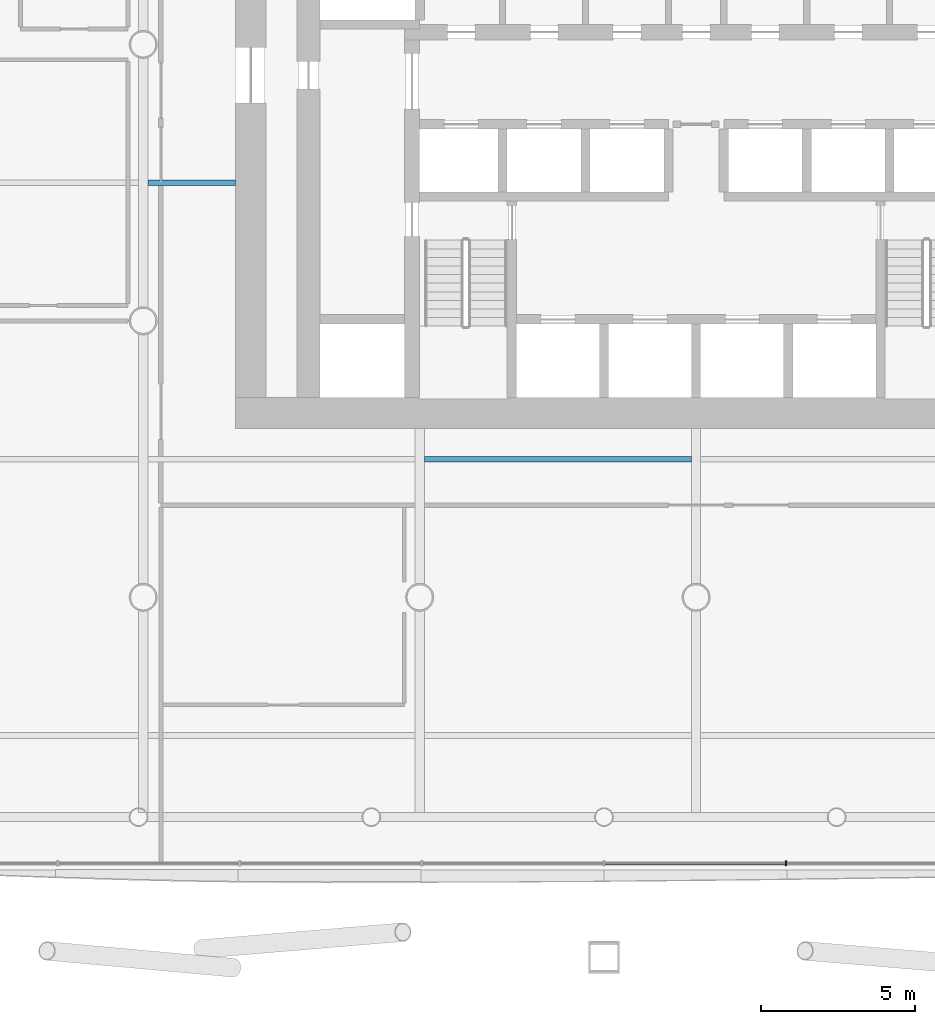
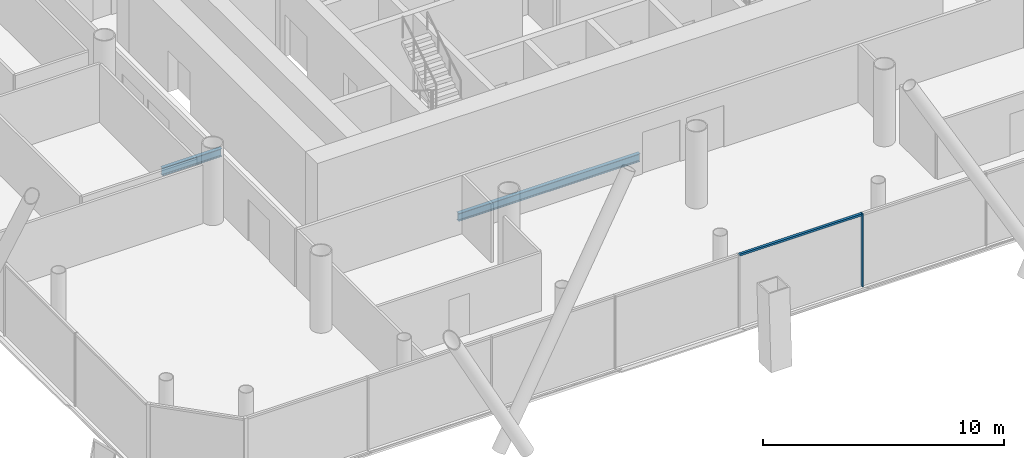
# One storey, part 6 of 25: 2 beams, 2 members, 1 element without a shape of its own.
"""IFC4 building model written with IfcOpenShell, lengths in metres."""

from ifc_helpers import new_model, si_unit, direction, frame, origin, origin_2d, place, context, subcontext, project, spatial, rectangle, i_section, extrude, material, material_profile, profile_set, type_object, element, aggregate, save


model = new_model("IFC4")

# Units and contexts
model_context = context("Model", 3, precision=1e-05, world=origin(), true_north=direction((0.0, 1.0)))
body_context = subcontext(model_context, "Body", "Model", "MODEL_VIEW")
ifc_project = project(units=[si_unit("LENGTHUNIT", "METRE"), si_unit("AREAUNIT", "SQUARE_METRE"), si_unit("VOLUMEUNIT", "CUBIC_METRE"), si_unit("PLANEANGLEUNIT", "RADIAN"), si_unit("MASSUNIT", "GRAM", prefix="KILO")], contexts=[model_context])

# Site, building, storey
site_placement = place(None, origin())
site = spatial("IfcSite", under=ifc_project, at=site_placement, CompositionType="ELEMENT")
building_placement = place(site_placement, origin())
building = spatial("IfcBuilding", under=site, at=building_placement, Name="Tskaro Facet Tower", CompositionType="ELEMENT")
storey_placement = place(building_placement, frame((0.0, 0.0, 34.199951171875)))
storey = spatial("IfcBuildingStorey", under=building, at=storey_placement, Name="L07", CompositionType="ELEMENT", Elevation=34.199951171875)

# Curtain wall, members
ifc_material_1 = material(Name="Bronze anodised aluminium 6063-T6", Category="aluminium")
curtain_wall_type = type_object("IfcCurtainWallType", Name="Bronze office curtain wall (FW1)", PredefinedType="NOTDEFINED", material=ifc_material_1)
curtain_wall_placement = place(storey_placement, origin())
curtain_wall = element("IfcCurtainWall", 1, at=curtain_wall_placement, inside=storey, type_object=curtain_wall_type, Name="FW1 south facet L07", PredefinedType="NOTDEFINED")
ifc_material_profile_1 = material_profile(ifc_material_1, rectangle(XDim=0.06005859375, YDim=0.159912109375, at=origin_2d()), Name="Mullion 60x160")
ifc_profile_set_1 = profile_set([ifc_material_profile_1], Name="Bronze anodised aluminium 6063-T6")
member_type_1 = type_object("IfcMemberType", Name="FW1 bronze mullion 60x160", PredefinedType="MULLION", material=ifc_profile_set_1)
member_1_placement = place(storey_placement, frame((2.92822265625, -26.654052734375, 0.0), z_axis=(0.0, 0.0, 1.0), x_axis=(1.0, 0.0, 0.0)))
member_1 = element("IfcMember", 2, at=member_1_placement, type_object=member_type_1, Name="FW1 south mullion 5", PredefinedType="MULLION", context=body_context, shape_type="SweptSolid", body=[
    extrude(rectangle(XDim=0.06005859375, YDim=0.159912109375, at=origin_2d()), origin(), (0.0, 0.0, 1.0), 3.699951171875),
])
ifc_material_profile_2 = material_profile(ifc_material_1, rectangle(XDim=0.1201171875, YDim=0.10009765625, at=origin_2d()), Name="Transom 120x100")
ifc_profile_set_2 = profile_set([ifc_material_profile_2], Name="Bronze anodised aluminium 6063-T6")
member_type_2 = type_object("IfcMemberType", Name="FW1 bronze transom 120x100", PredefinedType="USERDEFINED", material=ifc_profile_set_2)
member_2_placement = place(storey_placement, frame((-2.969970703125, -26.654052734375, 3.650146484375), z_axis=(1.0, 0.0, 0.0), x_axis=(0.0, 1.0, 0.0)))
member_2 = element("IfcMember", 3, at=member_2_placement, type_object=member_type_2, Name="FW1 south transom 5.1", ObjectType="TRANSOM", PredefinedType="USERDEFINED", context=body_context, shape_type="SweptSolid", body=[
    extrude(rectangle(XDim=0.1201171875, YDim=0.10009765625, at=origin_2d()), origin(), (0.0, 0.0, 1.0), 5.8681640625),
])
aggregate(curtain_wall, [member_1, member_2])

# Beams
ifc_material_2 = material(Name="Steel S355J2", Category="steel")
ifc_material_profile_3 = material_profile(ifc_material_2, i_section(OverallWidth=0.179931640625, OverallDepth=0.39990234375, WebThickness=0.008544921875, FlangeThickness=0.013427734375, FilletRadius=0.02099609375, at=origin_2d()), Name="IPE 400")
ifc_profile_set_3 = profile_set([ifc_material_profile_3], Name="Steel S355J2")
beam_type = type_object("IfcBeamType", Name="IPE 400 secondary beam", PredefinedType="BEAM", material=ifc_profile_set_3)
beam_1_placement = place(storey_placement, frame((-8.85009765625, -13.5, -0.33984375), z_axis=(1.0, 0.0, 0.0), x_axis=(0.0, 1.0, 0.0)))
element("IfcBeam", 4, at=beam_1_placement, inside=storey, type_object=beam_type, Name="IPE 400 SB2a-3-1", PredefinedType="BEAM", context=body_context, shape_type="SweptSolid", body=[
    extrude(i_section(OverallWidth=0.179931640625, OverallDepth=0.39990234375, WebThickness=0.008544921875, FlangeThickness=0.013427734375, FilletRadius=0.02099609375, at=origin_2d()), origin(), (0.0, 0.0, 1.0), 8.7001953125),
])
beam_2_placement = place(storey_placement, frame((-17.85009765625, -4.5, -0.33984375), z_axis=(1.0, 0.0, 0.0), x_axis=(0.0, 1.0, 0.0)))
element("IfcBeam", 5, at=beam_2_placement, inside=storey, type_object=beam_type, Name="IPE 400 SB3a-2-1", PredefinedType="BEAM", context=body_context, shape_type="SweptSolid", body=[
    extrude(i_section(OverallWidth=0.179931640625, OverallDepth=0.39990234375, WebThickness=0.008544921875, FlangeThickness=0.013427734375, FilletRadius=0.02099609375, at=origin_2d()), origin(), (0.0, 0.0, 1.0), 2.85009765625),
])

save(model, "model.ifc")
